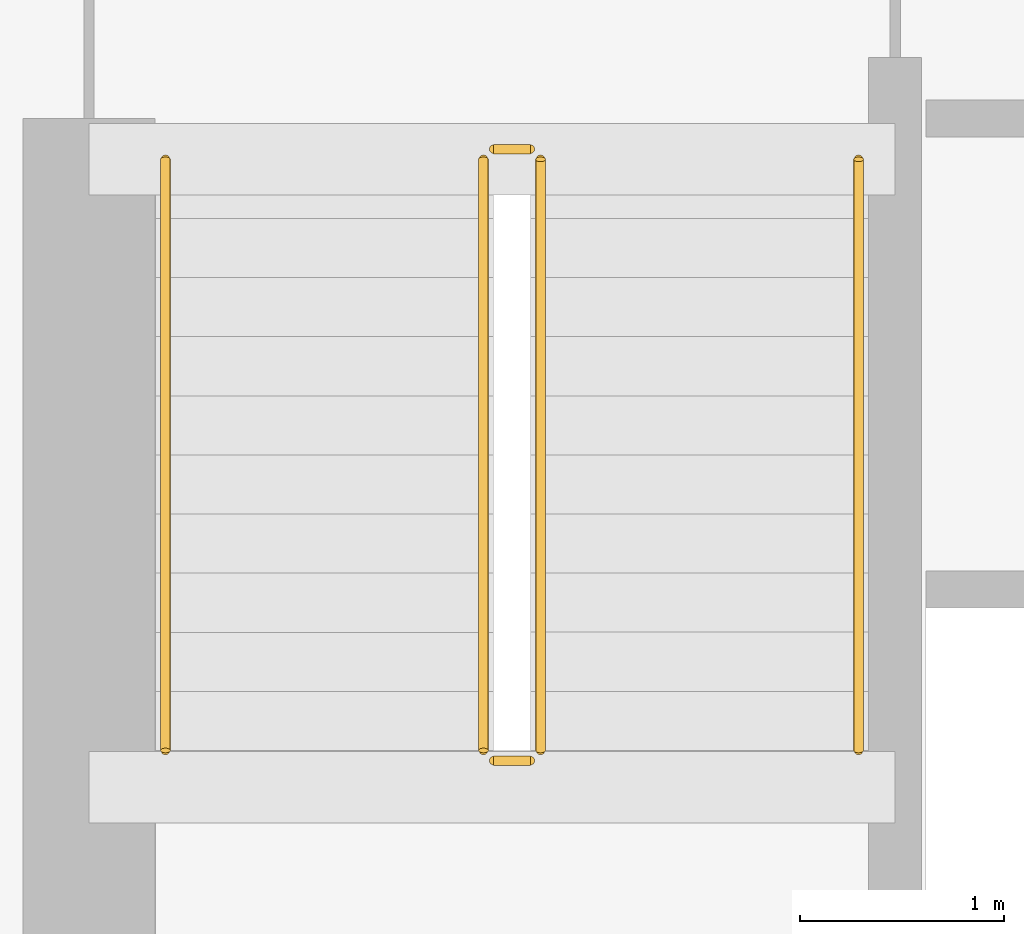
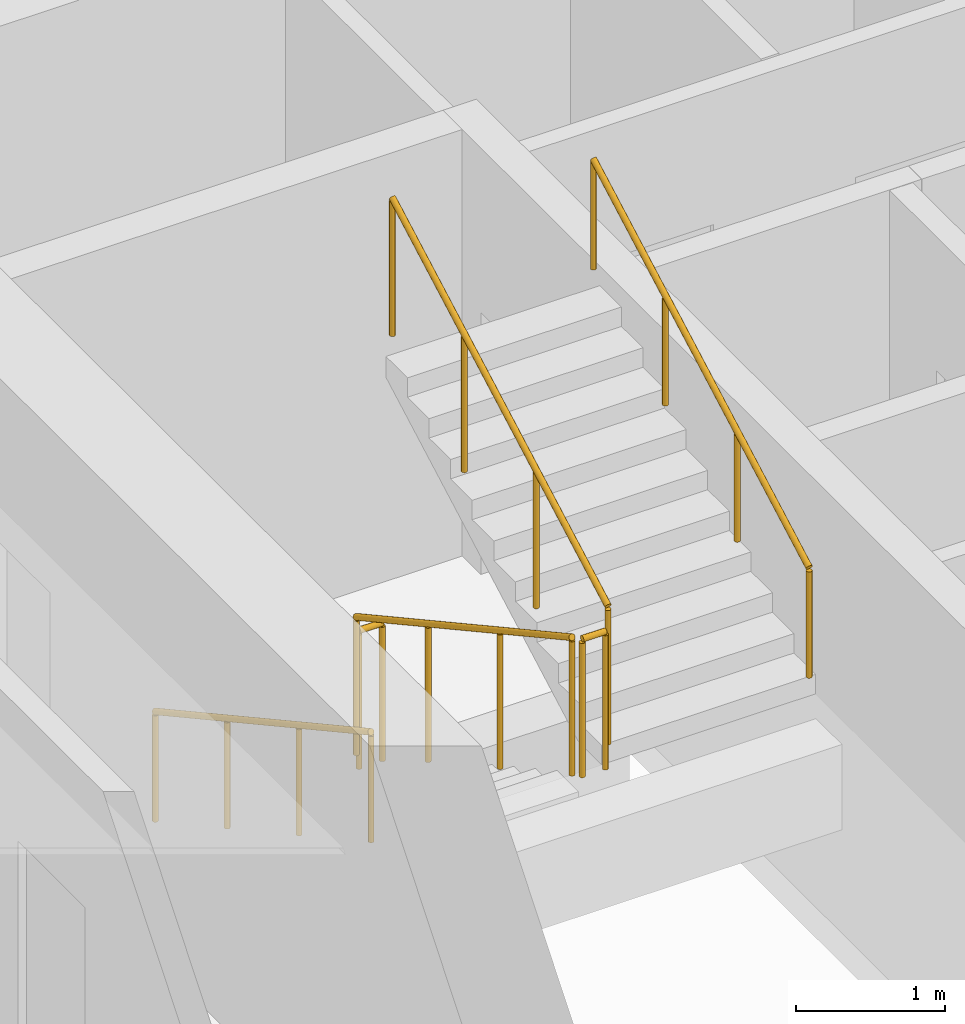
# One storey, part 8 of 10: 6 railings.
"""IFC4 building model written with IfcOpenShell, lengths in metres."""

from ifc_helpers import new_model, si_unit, direction, frame, origin, origin_2d, place, context, subcontext, project, spatial, circle, extrude, material, type_object, element, save


model = new_model("IFC4")

# Units and contexts
model_context = context("Model", 3, precision=1e-05, world=origin(), true_north=direction((0.0, 1.0)))
body_context = subcontext(model_context, "Body", "Model", "MODEL_VIEW")
ifc_project = project(units=[si_unit("LENGTHUNIT", "METRE"), si_unit("AREAUNIT", "SQUARE_METRE"), si_unit("VOLUMEUNIT", "CUBIC_METRE"), si_unit("PLANEANGLEUNIT", "RADIAN"), si_unit("MASSUNIT", "GRAM", prefix="KILO")], contexts=[model_context])

# Site, building, storey
site_placement = place(None, origin())
site = spatial("IfcSite", under=ifc_project, at=site_placement, CompositionType="ELEMENT")
building_placement = place(site_placement, origin())
building = spatial("IfcBuilding", under=site, at=building_placement, Name="Calvemar Wedge Station Tower", CompositionType="ELEMENT")
storey_placement = place(building_placement, frame((0.0, 0.0, 218.39990234375)))
storey = spatial("IfcBuildingStorey", under=building, at=storey_placement, Name="L55", CompositionType="ELEMENT", Elevation=218.39990234375)

# Railings
ifc_material_1 = material(Name="Stainless steel AISI 316L", Category="steel")
railing_type_1 = type_object("IfcRailingType", Name="RL-HANDRAIL-920", PredefinedType="HANDRAIL", material=ifc_material_1)
railing_1_placement = place(storey_placement, frame((16.64990234375, 41.14990234375, 0.1591796875)))
element("IfcRailing", 1, at=railing_1_placement, inside=storey, type_object=railing_type_1, Name="L55 ST-C1 stair handrail 1", PredefinedType="HANDRAIL", context=body_context, shape_type="SweptSolid", body=[
    extrude(circle(Radius=0.02392578125, at=origin_2d()), frame((0.0, 0.0, 0.89599609375), z_axis=(0.0, -0.876742130028, 0.480960744171), x_axis=(1.0, 0.0, 0.0)), (0.0, 0.0, 1.0), 3.3076171875),
    extrude(circle(Radius=0.02099609375, at=origin_2d()), origin(), (0.0, 0.0, 1.0), 0.871826171875),
    extrude(circle(Radius=0.02099609375, at=origin_2d()), frame((0.0, -0.966552734375, 0.5302734375)), (0.0, 0.0, 1.0), 0.871826171875),
    extrude(circle(Radius=0.02099609375, at=origin_2d()), frame((0.0, -1.933349609375, 1.060546875)), (0.0, 0.0, 1.0), 0.871826171875),
    extrude(circle(Radius=0.02099609375, at=origin_2d()), frame((0.0, -2.89990234375, 1.5908203125)), (0.0, 0.0, 1.0), 0.871826171875),
])
railing_2_placement = place(storey_placement, frame((20.050048828125, 38.25, 1.9091796875)))
element("IfcRailing", 2, at=railing_2_placement, inside=storey, type_object=railing_type_1, Name="L55 ST-C1 stair handrail 2", PredefinedType="HANDRAIL", context=body_context, shape_type="SweptSolid", body=[
    extrude(circle(Radius=0.02392578125, at=origin_2d()), frame((0.0, 0.0, 0.89599609375), z_axis=(0.0, 0.876742130028, 0.480960744171), x_axis=(-1.0, 0.0, 0.0)), (0.0, 0.0, 1.0), 3.3076171875),
    extrude(circle(Radius=0.02099609375, at=origin_2d()), origin(), (0.0, 0.0, 1.0), 0.871826171875),
    extrude(circle(Radius=0.02099609375, at=origin_2d()), frame((0.0, 0.966552734375, 0.5302734375)), (0.0, 0.0, 1.0), 0.871826171875),
    extrude(circle(Radius=0.02099609375, at=origin_2d()), frame((0.0, 1.933349609375, 1.060546875)), (0.0, 0.0, 1.0), 0.871826171875),
    extrude(circle(Radius=0.02099609375, at=origin_2d()), frame((0.0, 2.89990234375, 1.5908203125)), (0.0, 0.0, 1.0), 0.871826171875),
])
ifc_material_2 = material(Name="Painted steel guardrail ASTM A500 Grade C", Category="steel")
railing_type_2 = type_object("IfcRailingType", Name="RL-STAIR-GUARD-1150", PredefinedType="GUARDRAIL", material=ifc_material_2)
railing_3_placement = place(storey_placement, frame((18.2099609375, 41.14990234375, 0.1591796875)))
element("IfcRailing", 3, at=railing_3_placement, inside=storey, type_object=railing_type_2, Name="L55 ST-C1 stair guard 1", PredefinedType="GUARDRAIL", context=body_context, shape_type="SweptSolid", body=[
    extrude(circle(Radius=0.02392578125, at=origin_2d()), frame((0.0, 0.0, 1.1259765625), z_axis=(0.0, -0.876742130028, 0.480960744171), x_axis=(1.0, 0.0, 0.0)), (0.0, 0.0, 1.0), 3.3076171875),
    extrude(circle(Radius=0.02099609375, at=origin_2d()), origin(), (0.0, 0.0, 1.0), 1.101806640625),
    extrude(circle(Radius=0.02099609375, at=origin_2d()), frame((0.0, -0.966552734375, 0.5302734375)), (0.0, 0.0, 1.0), 1.101806640625),
    extrude(circle(Radius=0.02099609375, at=origin_2d()), frame((0.0, -1.933349609375, 1.060546875)), (0.0, 0.0, 1.0), 1.101806640625),
    extrude(circle(Radius=0.02099609375, at=origin_2d()), frame((0.0, -2.89990234375, 1.5908203125)), (0.0, 0.0, 1.0), 1.101806640625),
])
railing_4_placement = place(storey_placement, frame((18.260009765625, 38.199951171875, 1.75)))
element("IfcRailing", 4, at=railing_4_placement, inside=storey, type_object=railing_type_2, Name="L55 ST-C1 stair guard 2", PredefinedType="GUARDRAIL", context=body_context, shape_type="SweptSolid", body=[
    extrude(circle(Radius=0.02392578125, at=origin_2d()), frame((0.0, 0.0, 1.1259765625), z_axis=(1.0, 0.0, 0.0), x_axis=(0.0, 1.0, 0.0)), (0.0, 0.0, 1.0), 0.179931640625),
    extrude(circle(Radius=0.02099609375, at=origin_2d()), origin(), (0.0, 0.0, 1.0), 1.101806640625),
    extrude(circle(Radius=0.02099609375, at=origin_2d()), frame((0.179931640625, 0.0, 0.0)), (0.0, 0.0, 1.0), 1.101806640625),
])
railing_5_placement = place(storey_placement, frame((18.489990234375, 38.25, 1.9091796875)))
element("IfcRailing", 5, at=railing_5_placement, inside=storey, type_object=railing_type_2, Name="L55 ST-C1 stair guard 3", PredefinedType="GUARDRAIL", context=body_context, shape_type="SweptSolid", body=[
    extrude(circle(Radius=0.02392578125, at=origin_2d()), frame((0.0, 0.0, 1.1259765625), z_axis=(0.0, 0.876742130028, 0.480960744171), x_axis=(-1.0, 0.0, 0.0)), (0.0, 0.0, 1.0), 3.3076171875),
    extrude(circle(Radius=0.02099609375, at=origin_2d()), origin(), (0.0, 0.0, 1.0), 1.101806640625),
    extrude(circle(Radius=0.02099609375, at=origin_2d()), frame((0.0, 0.966552734375, 0.5302734375)), (0.0, 0.0, 1.0), 1.101806640625),
    extrude(circle(Radius=0.02099609375, at=origin_2d()), frame((0.0, 1.933349609375, 1.060546875)), (0.0, 0.0, 1.0), 1.101806640625),
    extrude(circle(Radius=0.02099609375, at=origin_2d()), frame((0.0, 2.89990234375, 1.5908203125)), (0.0, 0.0, 1.0), 1.101806640625),
])
railing_6_placement = place(storey_placement, frame((18.260009765625, 41.199951171875, 0.0)))
element("IfcRailing", 6, at=railing_6_placement, inside=storey, type_object=railing_type_2, Name="L55 ST-C1 stair guard 4", PredefinedType="GUARDRAIL", context=body_context, shape_type="SweptSolid", body=[
    extrude(circle(Radius=0.02392578125, at=origin_2d()), frame((0.0, 0.0, 1.1259765625), z_axis=(1.0, 0.0, 0.0), x_axis=(0.0, 1.0, 0.0)), (0.0, 0.0, 1.0), 0.179931640625),
    extrude(circle(Radius=0.02099609375, at=origin_2d()), origin(), (0.0, 0.0, 1.0), 1.101806640625),
    extrude(circle(Radius=0.02099609375, at=origin_2d()), frame((0.179931640625, 0.0, 0.0)), (0.0, 0.0, 1.0), 1.101806640625),
])

save(model, "model.ifc")
